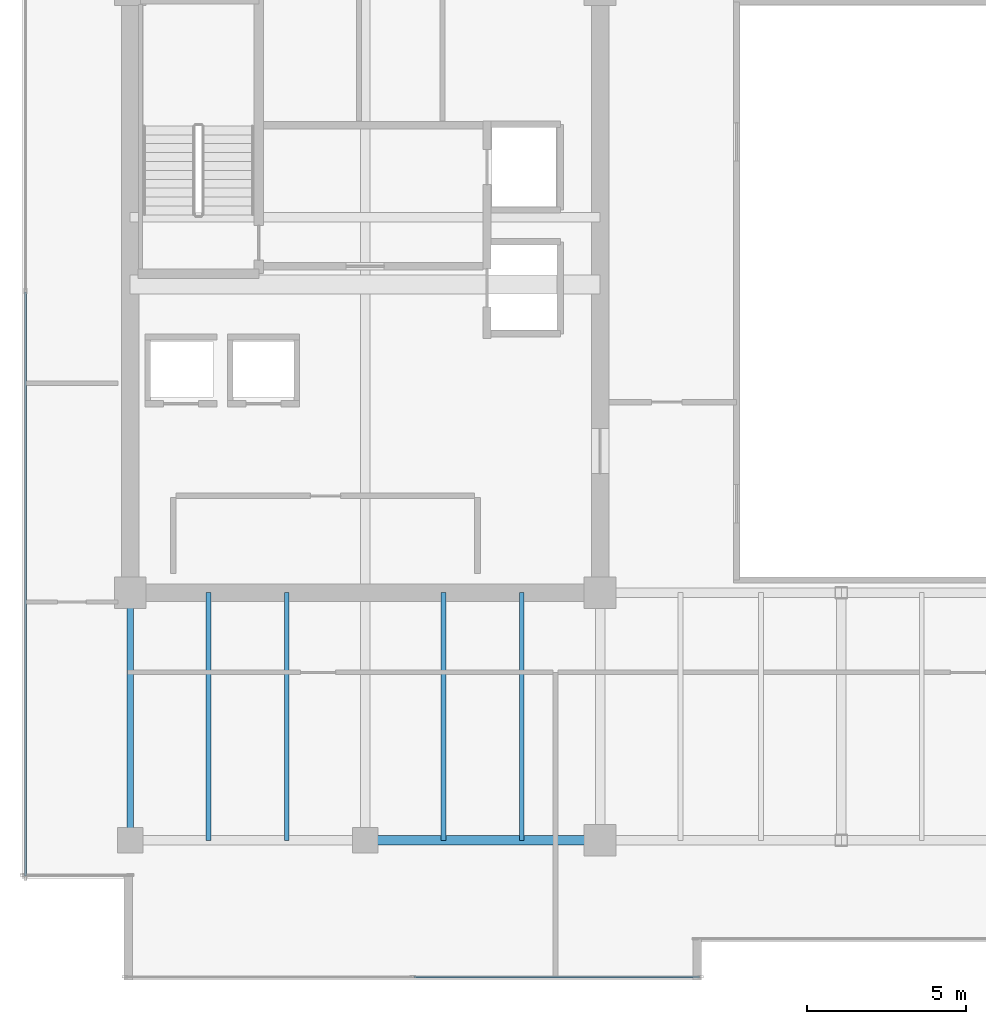
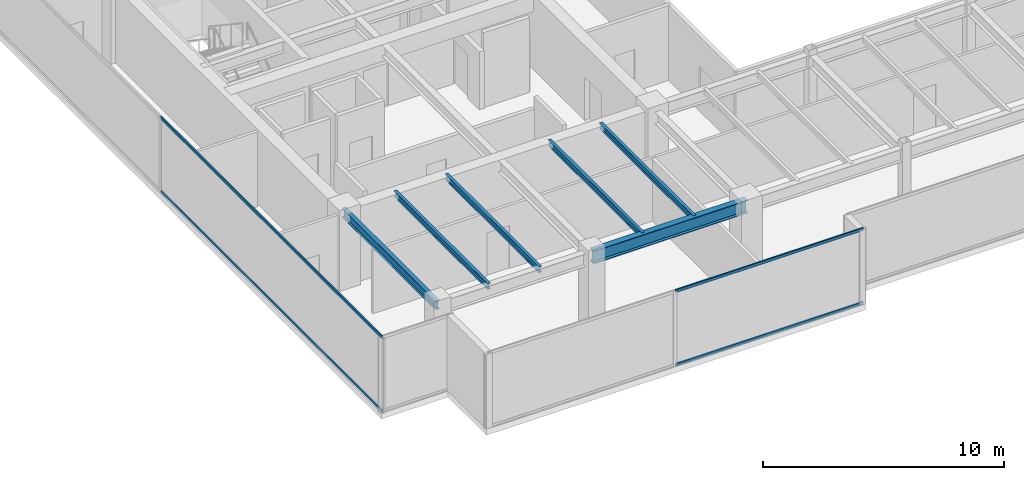
# One storey, part 6 of 33: 6 beams, 4 members, 2 elements without a shape of their own.
"""IFC4 building model written with IfcOpenShell, lengths in metres."""

from ifc_helpers import new_model, si_unit, direction, frame, origin, origin_2d, place, context, subcontext, project, spatial, hollow_rectangle, i_section, extrude, source, transform, mapped, material, layer, layer_set, material_profile, profile_set, type_object, type_shapes, element, aggregate, save


model = new_model("IFC4")

# Units and contexts
model_context = context("Model", 3, precision=1e-05, world=origin(), true_north=direction((0.0, 1.0)))
body_context = subcontext(model_context, "Body", "Model", "MODEL_VIEW")
ifc_project = project(units=[si_unit("LENGTHUNIT", "METRE"), si_unit("AREAUNIT", "SQUARE_METRE"), si_unit("VOLUMEUNIT", "CUBIC_METRE"), si_unit("PLANEANGLEUNIT", "RADIAN"), si_unit("MASSUNIT", "GRAM", prefix="KILO")], contexts=[model_context])

# Site, building, storey
site_placement = place(None, origin())
site = spatial("IfcSite", under=ifc_project, at=site_placement, CompositionType="ELEMENT")
building_placement = place(site_placement, origin())
building = spatial("IfcBuilding", under=site, at=building_placement, Name="Haelvirn Gate Laboratories", CompositionType="ELEMENT")
storey_placement = place(building_placement, frame((0.0, 0.0, 230.10009765625)))
storey = spatial("IfcBuildingStorey", under=building, at=storey_placement, Name="L55", CompositionType="ELEMENT", Elevation=230.10009765625)

# Beams
ifc_material_1 = material(Name="Steel SM355", Category="steel")
ifc_material_profile_1 = material_profile(ifc_material_1, i_section(OverallWidth=0.14990234375, OverallDepth=0.300048828125, WebThickness=0.006591796875, FlangeThickness=0.009033203125, at=origin_2d()), Name="H-300x150x6.5x9")
ifc_profile_set_1 = profile_set([ifc_material_profile_1], Name="Steel SM355")
beam_type_1 = type_object("IfcBeamType", Name="BM-J-300", PredefinedType="JOIST", material=ifc_profile_set_1)
shared_shape_1 = source(origin(), body_context, "Body", "SweptSolid", [
    extrude(i_section(OverallWidth=0.14990234375, OverallDepth=0.300048828125, WebThickness=0.006591796875, FlangeThickness=0.009033203125, at=origin_2d()), origin(), (0.0, 0.0, 1.0), 7.800048828125),
])
type_shapes(beam_type_1, [shared_shape_1])
for number, where, z_axis, x_axis, name in (
    (1, (9.8701171875, 7.0, 3.64990234375), (0.0, 1.0, 0.0), (-1.0, 0.0, 0.0), "L55 Composite Lab Joist South X9.87"),
    (2, (12.330078125, 7.0, 3.64990234375), (0.0, 1.0, 0.0), (-1.0, 0.0, 0.0), "L55 Composite Lab Joist South X12.33"),
    (3, (17.27001953125, 7.0, 3.64990234375), (0.0, 1.0, 0.0), (-1.0, 0.0, 0.0), "L55 Composite Lab Joist South X17.27"),
    (4, (19.72998046875, 7.0, 3.64990234375), (0.0, 1.0, 0.0), (-1.0, 0.0, 0.0), "L55 Composite Lab Joist South X19.73"),
):
    element("IfcBeam", number, at=place(storey_placement, frame(where, z_axis=z_axis, x_axis=x_axis)), inside=storey, type_object=beam_type_1, Name=name, PredefinedType="JOIST", context=body_context, shape_type="MappedRepresentation", body=[
        mapped(shared_shape_1, transform((0.0, 0.0, 0.0), scale=1.0)),
    ])
ifc_material_profile_2 = material_profile(ifc_material_1, i_section(OverallWidth=0.300048828125, OverallDepth=0.64990234375, WebThickness=0.012939453125, FlangeThickness=0.02197265625, at=origin_2d()), Name="H-650x300x13x22")
ifc_profile_set_2 = profile_set([ifc_material_profile_2], Name="Steel SM355")
beam_type_2 = type_object("IfcBeamType", Name="BM-G-650", PredefinedType="BEAM", material=ifc_profile_set_2)
shared_shape_2 = source(origin(), body_context, "Body", "SweptSolid", [
    extrude(i_section(OverallWidth=0.300048828125, OverallDepth=0.64990234375, WebThickness=0.012939453125, FlangeThickness=0.02197265625, at=origin_2d()), origin(), (0.0, 0.0, 1.0), 7.39990234375),
])
type_shapes(beam_type_2, [shared_shape_2])
beam_1_placement = place(storey_placement, frame((14.800048828125, 7.0, 3.474853515625), z_axis=(1.0, 0.0, 0.0), x_axis=(0.0, 1.0, 0.0)))
element("IfcBeam", 5, at=beam_1_placement, inside=storey, type_object=beam_type_2, Name="L55 Primary Girder Y7.0 (14.8-22.2)", PredefinedType="BEAM", context=body_context, shape_type="MappedRepresentation", body=[
    mapped(shared_shape_2, transform((0.0, 0.0, 0.0), scale=1.0)),
])
ifc_material_profile_3 = material_profile(ifc_material_1, i_section(OverallWidth=0.199951171875, OverallDepth=0.449951171875, WebThickness=0.009033203125, FlangeThickness=0.013916015625, at=origin_2d()), Name="H-450x200x9x14")
ifc_profile_set_3 = profile_set([ifc_material_profile_3], Name="Steel SM355")
beam_type_3 = type_object("IfcBeamType", Name="BM-SP-450", PredefinedType="SPANDREL", material=ifc_profile_set_3)
shared_shape_3 = source(origin(), body_context, "Body", "SweptSolid", [
    extrude(i_section(OverallWidth=0.199951171875, OverallDepth=0.449951171875, WebThickness=0.009033203125, FlangeThickness=0.013916015625, at=origin_2d()), origin(), (0.0, 0.0, 1.0), 7.800048828125),
])
type_shapes(beam_type_3, [shared_shape_3])
beam_2_placement = place(storey_placement, frame((7.39990234375, 7.0, 3.574951171875), z_axis=(0.0, 1.0, 0.0), x_axis=(-1.0, 0.0, 0.0)))
element("IfcBeam", 6, at=beam_2_placement, inside=storey, type_object=beam_type_3, Name="L55 Perimeter Spandrel X7.4 (7.0-14.8)", PredefinedType="SPANDREL", context=body_context, shape_type="MappedRepresentation", body=[
    mapped(shared_shape_3, transform((0.0, 0.0, 0.0), scale=1.0)),
])

# Curtain wall, members
ifc_material_2 = material(Name="Anodised bronze unitised aluminium & triple low-E glass", Category="aluminium")
ifc_layer = layer(ifc_material_2, 0.176025390625, Name="CW-SYS-4")
ifc_layer_set = layer_set([ifc_layer], Name="Anodised bronze unitised aluminium & triple low-E glass")
curtain_wall_type = type_object("IfcCurtainWallType", Name="CW-SYS-4", PredefinedType="NOTDEFINED", material=ifc_layer_set)
curtain_wall_1_placement = place(storey_placement, origin())
curtain_wall_1 = element("IfcCurtainWall", 7, at=curtain_wall_1_placement, inside=storey, type_object=curtain_wall_type, Name="L55 Unitised Curtain Wall CW-L55-P0-E00-1", PredefinedType="NOTDEFINED")
ifc_material_3 = material(Name="Extruded aluminium 6063-T6 (anodised bronze)", Category="aluminium")
ifc_material_profile_4 = material_profile(ifc_material_3, hollow_rectangle(XDim=0.06494140625, YDim=0.139892578125, WallThickness=0.00390625, at=origin_2d()), Name="CWT-140x65x4")
ifc_profile_set_4 = profile_set([ifc_material_profile_4], Name="Extruded aluminium 6063-T6 (anodised bronze)")
member_type = type_object("IfcMemberType", Name="CWT-T140", PredefinedType="USERDEFINED", material=ifc_profile_set_4)
shared_shape_4 = source(origin(), body_context, "Body", "SweptSolid", [
    extrude(hollow_rectangle(XDim=0.06494140625, YDim=0.139892578125, WallThickness=0.00390625, at=origin_2d()), origin(), (0.0, 0.0, 1.0), 8.9951171875),
])
member_1_placement = place(storey_placement, frame((16.3349609375, 2.699951171875, 0.032470703125), z_axis=(1.0, 0.0, 0.0), x_axis=(0.0, 1.0, 0.0)))
member_1 = element("IfcMember", 8, at=member_1_placement, type_object=member_type, Name="CW4 transom 2.1", ObjectType="TRANSOM", PredefinedType="USERDEFINED", context=body_context, shape_type="MappedRepresentation", body=[
    mapped(shared_shape_4, transform((0.0, 0.0, 0.0), scale=1.0)),
])
member_2_placement = place(storey_placement, frame((16.3349609375, 2.699951171875, 3.767333984375), z_axis=(1.0, 0.0, 0.0), x_axis=(0.0, 1.0, 0.0)))
member_2 = element("IfcMember", 9, at=member_2_placement, type_object=member_type, Name="CW4 transom 2.2", ObjectType="TRANSOM", PredefinedType="USERDEFINED", context=body_context, shape_type="MappedRepresentation", body=[
    mapped(shared_shape_4, transform((0.0, 0.0, 0.0), scale=1.0)),
])
aggregate(curtain_wall_1, [member_1, member_2])

curtain_wall_2_placement = place(storey_placement, origin())
curtain_wall_2 = element("IfcCurtainWall", 10, at=curtain_wall_2_placement, inside=storey, type_object=curtain_wall_type, Name="L55 Unitised Curtain Wall CW-L55-P0-E17", PredefinedType="NOTDEFINED")
shared_shape_5 = source(origin(), body_context, "Body", "SweptSolid", [
    extrude(hollow_rectangle(XDim=0.06494140625, YDim=0.139892578125, WallThickness=0.00390625, at=origin_2d()), origin(), (0.0, 0.0, 1.0), 18.394775390625),
])
type_shapes(member_type, [shared_shape_4, shared_shape_5])
member_3_placement = place(storey_placement, frame((4.10009765625, 24.264892578125, 0.032470703125), z_axis=(0.0, -1.0, 0.0), x_axis=(1.0, 0.0, 0.0)))
member_3 = element("IfcMember", 11, at=member_3_placement, type_object=member_type, Name="CW4 transom 2.1", ObjectType="TRANSOM", PredefinedType="USERDEFINED", context=body_context, shape_type="MappedRepresentation", body=[
    mapped(shared_shape_5, transform((0.0, 0.0, 0.0), scale=1.0)),
])
member_4_placement = place(storey_placement, frame((4.10009765625, 24.264892578125, 3.767333984375), z_axis=(0.0, -1.0, 0.0), x_axis=(1.0, 0.0, 0.0)))
member_4 = element("IfcMember", 12, at=member_4_placement, type_object=member_type, Name="CW4 transom 2.2", ObjectType="TRANSOM", PredefinedType="USERDEFINED", context=body_context, shape_type="MappedRepresentation", body=[
    mapped(shared_shape_5, transform((0.0, 0.0, 0.0), scale=1.0)),
])
aggregate(curtain_wall_2, [member_3, member_4])

save(model, "model.ifc")
